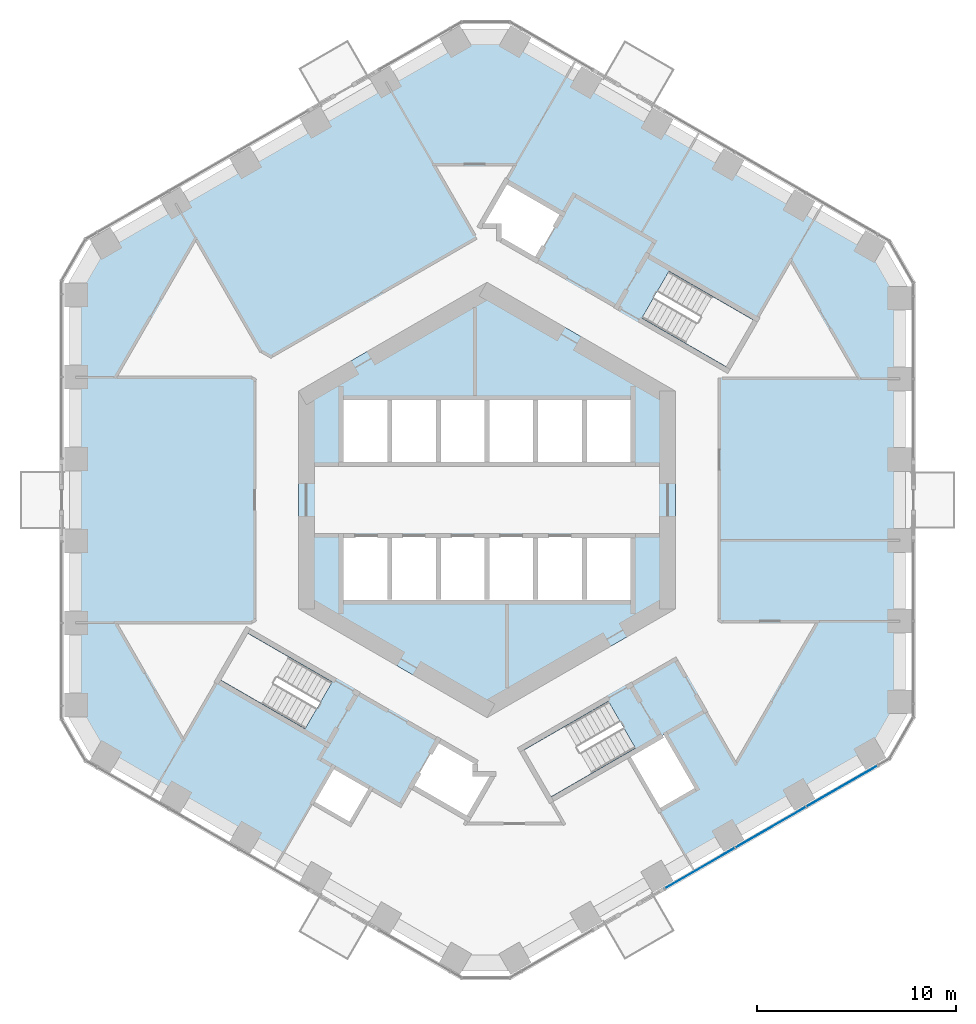
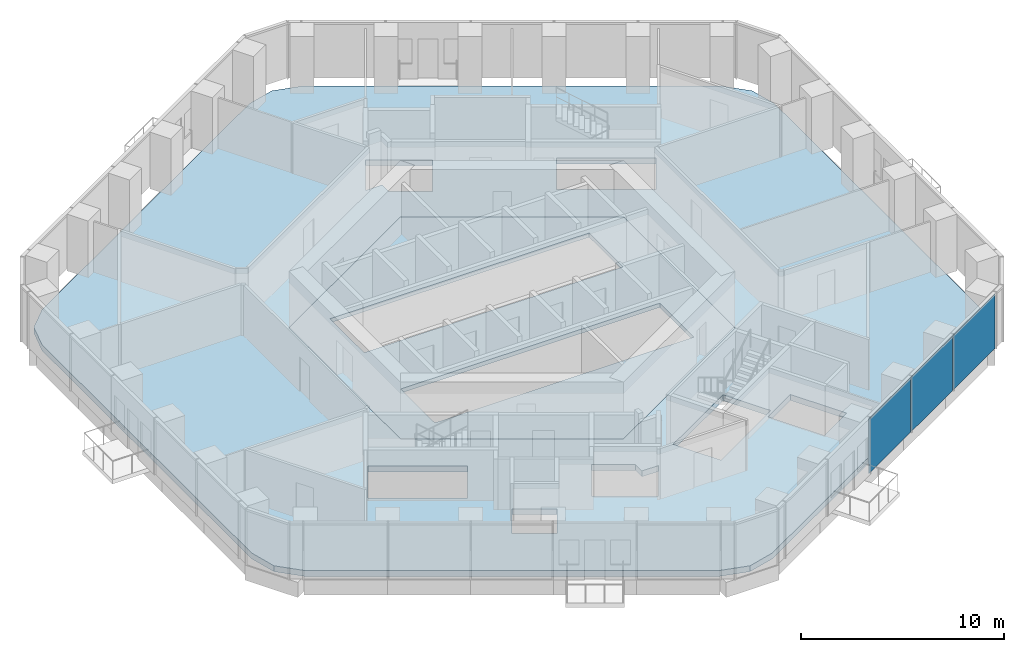
# One storey, part 10 of 20: 3 plates, 2 slabs, 1 element without a shape of its own.
"""IFC4 building model written with IfcOpenShell, lengths in metres."""

from ifc_helpers import new_model, si_unit, direction, frame, origin, origin_2d, place, context, subcontext, project, spatial, polyline, rectangle, outline, extrude, material, layer, layer_set, type_object, element, aggregate, save


model = new_model("IFC4")

# Units and contexts
model_context = context("Model", 3, precision=1e-05, world=origin(), true_north=direction((0.0, 1.0)))
body_context = subcontext(model_context, "Body", "Model", "MODEL_VIEW")
ifc_project = project(units=[si_unit("LENGTHUNIT", "METRE"), si_unit("AREAUNIT", "SQUARE_METRE"), si_unit("VOLUMEUNIT", "CUBIC_METRE"), si_unit("PLANEANGLEUNIT", "RADIAN"), si_unit("MASSUNIT", "GRAM", prefix="KILO")], contexts=[model_context])

# Site, building, storey
site_placement = place(None, origin())
site = spatial("IfcSite", under=ifc_project, at=site_placement, CompositionType="ELEMENT")
building_placement = place(site_placement, origin())
building = spatial("IfcBuilding", under=site, at=building_placement, Name="Ayvan Gate Tower", CompositionType="ELEMENT")
storey_placement = place(building_placement, frame((0.0, 0.0, 28.89990234375)))
storey = spatial("IfcBuildingStorey", under=building, at=storey_placement, Name="L06", CompositionType="ELEMENT", Elevation=28.89990234375)

# Slabs
ifc_material_1 = material(Name="Concrete C40/50", Category="concrete")
ifc_layer_1 = layer(ifc_material_1, 0.35009765625)
ifc_layer_set_1 = layer_set([ifc_layer_1], Name="Concrete C40/50")
slab_type_1 = type_object("IfcSlabType", Name="Post-tensioned flat slab 350", PredefinedType="FLOOR", material=ifc_layer_set_1)
slab_1_placement = place(storey_placement, frame((0.0, 0.0, -0.349853515625)))
element("IfcSlab", 1, at=slab_1_placement, inside=storey, type_object=slab_type_1, Name="SL-L06", PredefinedType="FLOOR", context=body_context, shape_type="SweptSolid", body=[
    extrude(outline(polyline([(-1.559326171875, -23.099609375), (-19.225341796875, -12.900390625), (-20.3232421875, -11.80224609375), (-20.725341796875, -10.30224609375), (-20.725341796875, 10.30224609375), (-20.3232421875, 11.80224609375), (-19.225341796875, 12.900390625), (-1.559326171875, 23.099609375), (-0.059326171875, 23.501708984375), (1.440673828125, 23.099609375), (19.28466796875, 12.797607421875), (20.382568359375, 11.699462890625), (20.78466796875, 10.199462890625), (20.78466796875, -10.199462890625), (20.382568359375, -11.699462890625), (19.28466796875, -12.797607421875), (1.440673828125, -23.099609375), (-0.059326171875, -23.501708984375), (-1.559326171875, -23.099609375)]), holes=[polyline([(9.1611328125, 11.517578125), (7.80615234375, 9.170654296875), (12.049560546875, 6.720458984375), (13.404541015625, 9.0673828125), (9.1611328125, 11.517578125)]), polyline([(7.090087890625, -12.880615234375), (8.498046875, -15.319091796875), (8.690185546875, -15.65185546875), (10.595458984375, -14.5517578125), (8.995361328125, -11.780517578125), (8.735595703125, -11.9306640625), (7.090087890625, -12.880615234375)]), polyline([(-9.5, 5.48486328125), (-9.5, -5.48486328125), (0.0, -10.9697265625), (9.5, -5.48486328125), (9.5, 5.48486328125), (0.0, 10.9697265625), (-9.5, 5.48486328125)]), polyline([(7.472412109375, -12.492431640625), (6.117431640625, -10.1455078125), (1.873779296875, -12.595458984375), (3.228759765625, -14.9423828125), (7.472412109375, -12.492431640625)]), polyline([(3.822509765625, 14.420654296875), (0.964599609375, 16.07080078125), (-0.340576171875, 13.81005859375), (0.60009765625, 13.81005859375), (0.60009765625, 13.16357421875), (2.472412109375, 12.08251953125), (3.822509765625, 14.420654296875)]), polyline([(-0.60009765625, -13.81005859375), (-0.60009765625, -13.16357421875), (-2.472412109375, -12.08251953125), (-3.822509765625, -14.420654296875), (-0.964599609375, -16.07080078125), (0.340576171875, -13.81005859375), (-0.60009765625, -13.81005859375)]), polyline([(-6.894775390625, -16.342041015625), (-5.8447265625, -14.5234375), (-7.75, -13.42333984375), (-8.800048828125, -15.241943359375), (-7.321533203125, -16.095703125), (-6.894775390625, -16.342041015625)]), polyline([(-12.049560546875, -6.720458984375), (-13.404541015625, -9.0673828125), (-9.1611328125, -11.517578125), (-7.80615234375, -9.170654296875), (-12.049560546875, -6.720458984375)])]), origin(), (0.0, 0.0, 1.0), 0.349853515625),
])
ifc_layer_2 = layer(ifc_material_1, 0.25)
ifc_layer_set_2 = layer_set([ifc_layer_2], Name="Concrete C40/50")
slab_type_2 = type_object("IfcSlabType", Name="SL-CORE-250", PredefinedType="FLOOR", material=ifc_layer_set_2)
slab_2_placement = place(storey_placement, frame((0.0, 0.0, -0.25)))
element("IfcSlab", 2, at=slab_2_placement, inside=storey, type_object=slab_type_2, Name="CS-L06", PredefinedType="FLOOR", context=body_context, shape_type="SweptSolid", body=[
    extrude(outline(polyline([(9.5, -5.48486328125), (0.0, -10.9697265625), (-9.5, -5.48486328125), (-9.5, 5.48486328125), (0.0, 10.9697265625), (9.5, 5.48486328125), (9.5, -5.48486328125)]), holes=[polyline([(-7.35009765625, -1.800048828125), (-7.35009765625, -5.14990234375), (7.35009765625, -5.14990234375), (7.35009765625, -1.800048828125), (-7.35009765625, -1.800048828125)]), polyline([(-7.35009765625, 5.14990234375), (-7.35009765625, 1.800048828125), (7.35009765625, 1.800048828125), (7.35009765625, 5.14990234375), (-7.35009765625, 5.14990234375)])]), origin(), (0.0, 0.0, 1.0), 0.25),
])

# Curtain wall, plates
ifc_material_2 = material(Name="Bronze anodised aluminium", Category="aluminium")
ifc_layer_3 = layer(ifc_material_2, 0.199951171875)
ifc_layer_set_3 = layer_set([ifc_layer_3], Name="Bronze anodised aluminium")
curtain_wall_type = type_object("IfcCurtainWallType", Name="Stick curtain wall CW-1", PredefinedType="NOTDEFINED", material=ifc_layer_set_3)
curtain_wall_placement = place(storey_placement, origin())
curtain_wall = element("IfcCurtainWall", 3, at=curtain_wall_placement, inside=storey, type_object=curtain_wall_type, Name="Stick curtain wall CW-1 L06", PredefinedType="NOTDEFINED")
ifc_material_3 = material(Name="Clear low-iron laminated glass", Category="glass")
ifc_layer_4 = layer(ifc_material_3, 0.028076171875)
ifc_layer_set_4 = layer_set([ifc_layer_4], Name="Clear low-iron laminated glass")
plate_type = type_object("IfcPlateType", Name="Stick curtain wall CW-1 glass panel", PredefinedType="CURTAIN_PANEL", material=ifc_layer_set_4)
plate_1_placement = place(storey_placement, frame((10.712646484375, -18.5546875, 0.0), z_axis=(0.0, 0.0, 1.0), x_axis=(0.866025403784, 0.5, 0.0)))
plate_1 = element("IfcPlate", 4, at=plate_1_placement, type_object=plate_type, Name="CW-1 glass panel 1", PredefinedType="CURTAIN_PANEL", context=body_context, shape_type="SweptSolid", body=[
    extrude(rectangle(XDim=4.06689453125, YDim=0.028076171875, at=origin_2d()), origin(), (0.0, 0.0, 1.0), 3.280029296875),
])
plate_2_placement = place(storey_placement, frame((14.287353515625, -16.490966796875, 0.0), z_axis=(0.0, 0.0, 1.0), x_axis=(0.866025403784, 0.5, 0.0)))
plate_2 = element("IfcPlate", 5, at=plate_2_placement, type_object=plate_type, Name="CW-1 glass panel 2", PredefinedType="CURTAIN_PANEL", context=body_context, shape_type="SweptSolid", body=[
    extrude(rectangle(XDim=4.068115234375, YDim=0.028076171875, at=origin_2d()), origin(), (0.0, 0.0, 1.0), 3.280029296875),
])
plate_3_placement = place(storey_placement, frame((17.89453125, -14.408203125, 0.0), z_axis=(0.0, 0.0, 1.0), x_axis=(0.866025403784, 0.5, 0.0)))
plate_3 = element("IfcPlate", 6, at=plate_3_placement, type_object=plate_type, Name="CW-1 glass panel 3", PredefinedType="CURTAIN_PANEL", context=body_context, shape_type="SweptSolid", body=[
    extrude(rectangle(XDim=4.142822265625, YDim=0.028076171875, at=origin_2d()), origin(), (0.0, 0.0, 1.0), 3.280029296875),
])
aggregate(curtain_wall, [plate_1, plate_2, plate_3])

save(model, "model.ifc")
